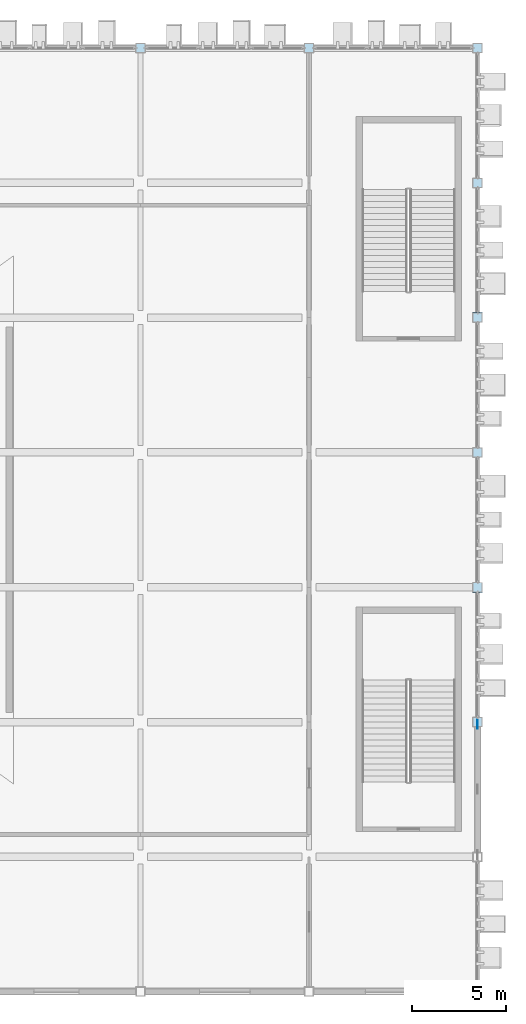
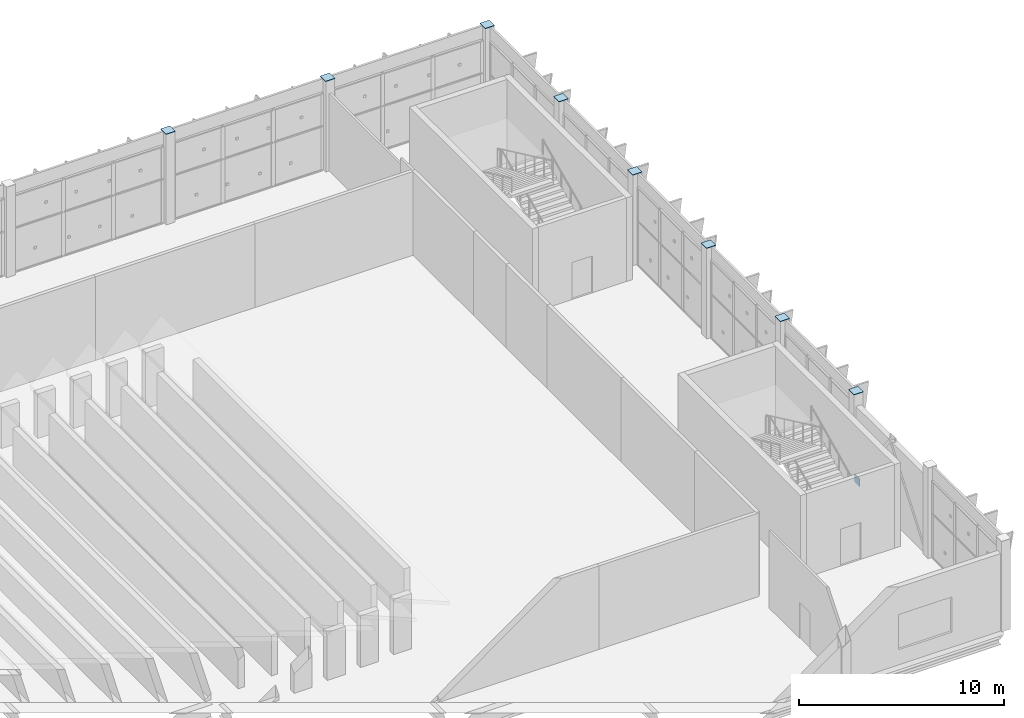
# One storey, part 131 of 189: 9 plates.
"""IFC4 building model written with IfcOpenShell, lengths in metres."""

from ifc_helpers import new_model, si_unit, direction, frame, origin, origin_2d, place, context, subcontext, project, spatial, rectangle, extrude, material, layer, layer_set, type_object, element, save


model = new_model("IFC4")

# Units and contexts
model_context = context("Model", 3, precision=1e-05, world=origin(), true_north=direction((0.0, 1.0)))
body_context = subcontext(model_context, "Body", "Model", "MODEL_VIEW")
ifc_project = project(units=[si_unit("LENGTHUNIT", "METRE"), si_unit("AREAUNIT", "SQUARE_METRE"), si_unit("VOLUMEUNIT", "CUBIC_METRE"), si_unit("PLANEANGLEUNIT", "RADIAN"), si_unit("MASSUNIT", "GRAM", prefix="KILO")], contexts=[model_context])

# Site, building, storey
site_placement = place(None, origin())
site = spatial("IfcSite", under=ifc_project, at=site_placement, CompositionType="ELEMENT")
building_placement = place(site_placement, origin())
building = spatial("IfcBuilding", under=site, at=building_placement, Name="Celestram Park Convention Centre", CompositionType="ELEMENT")
storey_placement = place(building_placement, frame((0.0, 0.0, 5.39990234375)))
storey = spatial("IfcBuildingStorey", under=building, at=storey_placement, Name="L01", CompositionType="ELEMENT", Elevation=5.39990234375)

# Plates
ifc_material = material(Name="Steel ASTM A572 Grade 50", Category="steel")
ifc_layer_1 = layer(ifc_material, 0.02490234375)
ifc_layer_set_1 = layer_set([ifc_layer_1], Name="Steel ASTM A572 Grade 50")
plate_type_1 = type_object("IfcPlateType", Name="STR-PLT-EC500", PredefinedType="USERDEFINED", material=ifc_layer_set_1)
for number, where, z_axis, x_axis, name in (
    (1, (198.0, 165.60009765625, 5.399658203125), (0.0, 0.0, 1.0), (1.0, 0.0, 0.0), "HSS column end closure cap plate EC-L01-155"),
    (2, (207.0, 165.60009765625, 5.399658203125), (0.0, 0.0, 1.0), (1.0, 0.0, 0.0), "HSS column end closure cap plate EC-L01-159"),
    (3, (216.0, 129.60009765625, 5.399658203125), (0.0, 0.0, 1.0), (1.0, 0.0, 0.0), "HSS column end closure cap plate EC-L01-165"),
    (4, (216.0, 136.800048828125, 5.399658203125), (0.0, 0.0, 1.0), (1.0, 0.0, 0.0), "HSS column end closure cap plate EC-L01-167"),
    (5, (216.0, 144.0, 5.399658203125), (0.0, 0.0, 1.0), (1.0, 0.0, 0.0), "HSS column end closure cap plate EC-L01-169"),
    (6, (216.0, 151.199951171875, 5.399658203125), (0.0, 0.0, 1.0), (1.0, 0.0, 0.0), "HSS column end closure cap plate EC-L01-171"),
    (7, (216.0, 158.39990234375, 5.399658203125), (0.0, 0.0, 1.0), (1.0, 0.0, 0.0), "HSS column end closure cap plate EC-L01-173"),
    (8, (216.0, 165.60009765625, 5.399658203125), (0.0, 0.0, 1.0), (1.0, 0.0, 0.0), "HSS column end closure cap plate EC-L01-175"),
):
    element("IfcPlate", number, at=place(storey_placement, frame(where, z_axis=z_axis, x_axis=x_axis)), inside=storey, type_object=plate_type_1, Name=name, ObjectType="GUSSET_PLATE", PredefinedType="USERDEFINED", context=body_context, shape_type="SweptSolid", body=[
        extrude(rectangle(XDim=0.530029296875, YDim=0.530029296875, at=origin_2d()), origin(), (0.0, 0.0, 1.0), 0.02490234375),
    ])
ifc_layer_2 = layer(ifc_material, 0.031982421875)
ifc_layer_set_2 = layer_set([ifc_layer_2], Name="Steel ASTM A572 Grade 50")
plate_type_2 = type_object("IfcPlateType", Name="STR-PLT-GP32", PredefinedType="USERDEFINED", material=ifc_layer_set_2)
plate_placement = place(storey_placement, frame((216.0, 129.47998046875, -0.08984375), z_axis=(0.0, 0.0, 1.0), x_axis=(0.0, 1.0, 0.0)))
element("IfcPlate", 9, at=plate_placement, inside=storey, type_object=plate_type_2, Name="Chevron brace base gusset GP-L01-525", ObjectType="GUSSET_PLATE", PredefinedType="USERDEFINED", context=body_context, shape_type="SweptSolid", body=[
    extrude(rectangle(XDim=0.47998046875, YDim=0.031982421875, at=origin_2d()), origin(), (0.0, 0.0, 1.0), 0.47998046875),
])

save(model, "model.ifc")
